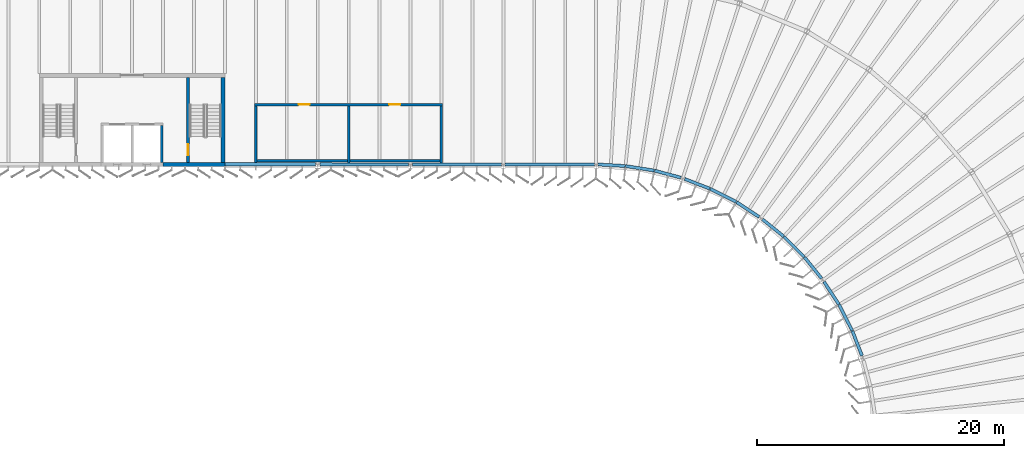
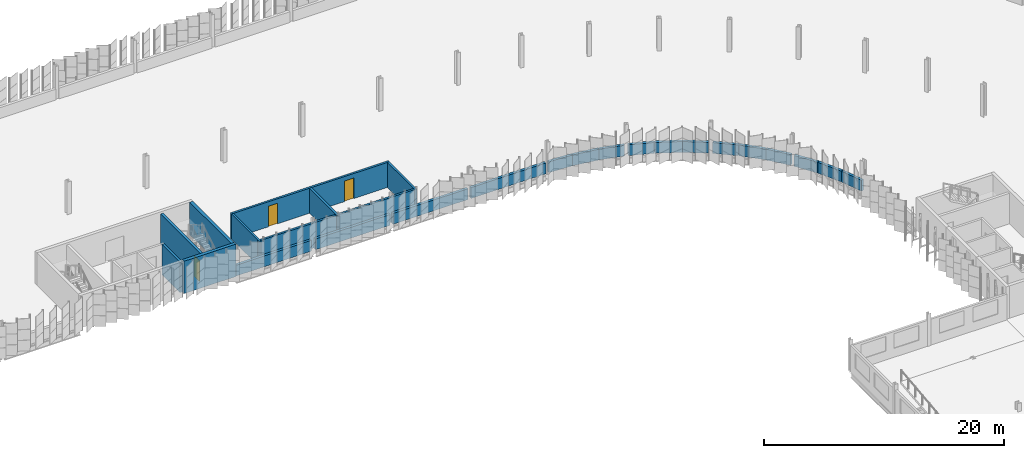
# One storey, part 77 of 214: 25 walls, 3 doors, 3 openings.
"""IFC4 building model written with IfcOpenShell, lengths in metres."""

from ifc_helpers import new_model, si_unit, direction, frame, frame_2d, origin, place, context, subcontext, project, spatial, rectangle, extrude, material, layer, layer_set, type_object, element, fill, save


model = new_model("IFC4")

# Units and contexts
model_context = context("Model", 3, precision=1e-05, world=origin(), true_north=direction((0.0, 1.0)))
body_context = subcontext(model_context, "Body", "Model", "MODEL_VIEW")
ifc_project = project(units=[si_unit("LENGTHUNIT", "METRE"), si_unit("AREAUNIT", "SQUARE_METRE"), si_unit("VOLUMEUNIT", "CUBIC_METRE"), si_unit("PLANEANGLEUNIT", "RADIAN"), si_unit("MASSUNIT", "GRAM", prefix="KILO")], contexts=[model_context])

# Site, building, storey
site_placement = place(None, origin())
site = spatial("IfcSite", under=ifc_project, at=site_placement, CompositionType="ELEMENT")
building_placement = place(site_placement, origin())
building = spatial("IfcBuilding", under=site, at=building_placement, Name="Parallax Yard Mobility Hub", CompositionType="ELEMENT")
storey_placement = place(building_placement, frame((0.0, 0.0, 3.300048828125)))
storey = spatial("IfcBuildingStorey", under=building, at=storey_placement, Name="L01", CompositionType="ELEMENT", Elevation=3.300048828125)

# Walls
ifc_material_1 = material(Name="Concrete fc' 35 MPa", Category="concrete")
ifc_layer_1 = layer(ifc_material_1, 0.300048828125)
ifc_layer_set_1 = layer_set([ifc_layer_1], Name="Concrete fc' 35 MPa core wall 300")
wall_type_1 = type_object("IfcWallType", Name="Concrete fc' 35 MPa core wall 300", PredefinedType="SHEAR", material=ifc_layer_set_1)
wall_1_placement = place(storey_placement, frame((142.5, 112.64990234375, 0.0), z_axis=(0.0, 0.0, 1.0), x_axis=(-1.0, 0.0, 0.0)))
element("IfcWall", 1, at=wall_1_placement, inside=storey, type_object=wall_type_1, Name="Core C-N2 back wall part 1 level L01", PredefinedType="SHEAR", context=body_context, shape_type="SweptSolid", body=[
    extrude(rectangle(XDim=5.0, YDim=0.300048828125, at=frame_2d((2.5, 0.0))), origin(), (0.0, 0.0, 1.0), 3.300048828125),
])
wall_2_placement = place(storey_placement, frame((142.35009765625, 119.699951171875, 0.0), z_axis=(0.0, 0.0, 1.0), x_axis=(0.0, -1.0, 0.0)))
element("IfcWall", 2, at=wall_2_placement, inside=storey, type_object=wall_type_1, Name="Core C-N2 west-side end wall level L01", PredefinedType="SHEAR", context=body_context, shape_type="SweptSolid", body=[
    extrude(rectangle(XDim=6.89990234375, YDim=0.300048828125, at=frame_2d((3.449951171875, 0.0))), origin(), (0.0, 0.0, 1.0), 3.300048828125),
])
ifc_layer_2 = layer(ifc_material_1, 0.199951171875)
ifc_layer_set_2 = layer_set([ifc_layer_2], Name="Concrete fc' 35 MPa internal core wall 200")
wall_type_2 = type_object("IfcWallType", Name="Concrete fc' 35 MPa internal core wall 200", PredefinedType="STANDARD", material=ifc_layer_set_2)
wall_3_placement = place(storey_placement, frame((137.39990234375, 115.800048828125, 0.0), z_axis=(0.0, 0.0, 1.0), x_axis=(0.0, -1.0, 0.0)))
element("IfcWall", 3, at=wall_3_placement, inside=storey, type_object=wall_type_2, Name="Core C-N2 lift wall 1 part 1 level L01", PredefinedType="STANDARD", context=body_context, shape_type="SweptSolid", body=[
    extrude(rectangle(XDim=3.0, YDim=0.199951171875, at=frame_2d((1.5, 0.0))), origin(), (0.0, 0.0, 1.0), 3.099853515625),
])

# Wall, opening, door
ifc_layer_3 = layer(ifc_material_1, 0.25)
ifc_layer_set_3 = layer_set([ifc_layer_3], Name="Concrete fc' 35 MPa stair enclosure wall 250")
wall_type_3 = type_object("IfcWallType", Name="Concrete fc' 35 MPa stair enclosure wall 250", PredefinedType="STANDARD", material=ifc_layer_set_3)
wall_4_placement = place(storey_placement, frame((139.52490234375, 119.699951171875, 0.0), z_axis=(0.0, 0.0, 1.0), x_axis=(0.0, -1.0, 0.0)))
wall_4 = element("IfcWall", 4, at=wall_4_placement, inside=storey, type_object=wall_type_3, Name="Core C-N2 stair 1 partition level L01", PredefinedType="STANDARD", context=body_context, shape_type="SweptSolid", body=[
    extrude(rectangle(XDim=6.89990234375, YDim=0.25, at=frame_2d((3.449951171875, 0.0))), origin(), (0.0, 0.0, 1.0), 3.099853515625),
])
opening_1_placement = place(wall_4_placement, frame((5.39990234375, 0.0, 0.0)))
opening_1 = element("IfcOpeningElement", 5, at=opening_1_placement, cuts=wall_4, Name="Opening L01-D715", PredefinedType="OPENING", context=body_context, shape_type="SweptSolid", body=[
    extrude(rectangle(XDim=0.89990234375, YDim=2.10009765625, at=frame_2d((0.449951171875, 1.050048828125))), frame((0.0, 0.135009765625, 0.0), z_axis=(0.0, -1.0, 0.0), x_axis=(1.0, 0.0, 0.0)), (0.0, 0.0, 1.0), 0.27001953125),
])
ifc_material_2 = material(Name="Hollow metal steel door and frame", Category="steel")
door_type_1 = type_object("IfcDoorType", Name="Core door 900 x 2100 FD90", OperationType="NOTDEFINED", PredefinedType="DOOR", material=ifc_material_2)
door_1_placement = place(opening_1_placement, origin())
door_1 = element("IfcDoor", 6, at=door_1_placement, inside=storey, type_object=door_type_1, Name="Stair lobby door L01-D715, core C-N2 level L01", OperationType="SINGLE_SWING_LEFT", OverallHeight=2.10009765625, OverallWidth=0.89990234375, PredefinedType="DOOR", context=body_context, shape_type="SweptSolid", body=[
    extrude(rectangle(XDim=0.89990234375, YDim=2.10009765625, at=frame_2d((0.449951171875, 1.050048828125))), frame((0.0, 0.02490234375, 0.0), z_axis=(0.0, -1.0, 0.0), x_axis=(1.0, 0.0, 0.0)), (0.0, 0.0, 1.0), 0.050048828125),
])
fill(opening_1, door_1)

# Walls
ifc_layer_4 = layer(ifc_material_1, 0.25)
ifc_layer_set_4 = layer_set([ifc_layer_4], Name="Deck-edge barrier wall, Concrete fc' 35 MPa precast, 250")
wall_type_4 = type_object("IfcWallType", Name="Deck-edge barrier wall, Concrete fc' 35 MPa precast, 250", PredefinedType="SOLIDWALL", material=ifc_layer_set_4)
wall_5_placement = place(storey_placement, frame((142.5048828125, 112.67333984375, 0.0), z_axis=(0.0, 0.0, 1.0), x_axis=(1.0, 0.0, 0.0)))
element("IfcWall", 7, at=wall_5_placement, inside=storey, type_object=wall_type_4, Name="Deck-edge barrier wall bay 14 level L01", PredefinedType="SOLIDWALL", context=body_context, shape_type="SweptSolid", body=[
    extrude(rectangle(XDim=7.3095703125, YDim=0.25, at=frame_2d((3.65478515625, 0.0))), origin(), (0.0, 0.0, 1.0), 1.099853515625),
])
wall_6_placement = place(storey_placement, frame((150.185546875, 112.67333984375, 0.0), z_axis=(0.0, 0.0, 1.0), x_axis=(0.999993473402, -0.003612914829, 0.0)))
element("IfcWall", 8, at=wall_6_placement, inside=storey, type_object=wall_type_4, Name="Deck-edge barrier wall bay 15 level L01", PredefinedType="SOLIDWALL", context=body_context, shape_type="SweptSolid", body=[
    extrude(rectangle(XDim=7.162841796875, YDim=0.25, at=frame_2d((3.58154296875, 0.0))), origin(), (0.0, 0.0, 1.0), 1.099853515625),
])
for number, where, z_axis, x_axis, name in (
    (9, (157.651611328125, 112.6474609375, 0.0), (0.0, 0.0, 1.0), (1.0, 0.0, 0.0), "Deck-edge barrier wall bay 16 level L01"),
    (10, (165.151611328125, 112.6474609375, 0.0), (0.0, 0.0, 1.0), (1.0, 0.0, 0.0), "Deck-edge barrier wall bay 17 level L01"),
):
    element("IfcWall", number, at=place(storey_placement, frame(where, z_axis=z_axis, x_axis=x_axis)), inside=storey, type_object=wall_type_4, Name=name, PredefinedType="SOLIDWALL", context=body_context, shape_type="SweptSolid", body=[
        extrude(rectangle(XDim=7.19677734375, YDim=0.25, at=frame_2d((3.598388671875, 0.0))), origin(), (0.0, 0.0, 1.0), 1.099853515625),
    ])
wall_7_placement = place(storey_placement, frame((172.656005859375, 112.65478515625, 0.0), z_axis=(0.0, 0.0, 1.0), x_axis=(0.998364643885, -0.057166754681, 0.0)))
element("IfcWall", 11, at=wall_7_placement, inside=storey, type_object=wall_type_4, Name="Deck-edge barrier wall bay 18-1 level L01", PredefinedType="SOLIDWALL", context=body_context, shape_type="SweptSolid", body=[
    extrude(rectangle(XDim=2.199462890625, YDim=0.25, at=frame_2d((1.099609375, 0.0))), origin(), (0.0, 0.0, 1.0), 1.099853515625),
])
wall_8_placement = place(storey_placement, frame((174.884033203125, 112.525390625, 0.0), z_axis=(0.0, 0.0, 1.0), x_axis=(0.987958694972, -0.154717862668, 0.0)))
element("IfcWall", 12, at=wall_8_placement, inside=storey, type_object=wall_type_4, Name="Deck-edge barrier wall bay 18-2 level L01", PredefinedType="SOLIDWALL", context=body_context, shape_type="SweptSolid", body=[
    extrude(rectangle(XDim=2.3369140625, YDim=0.25, at=frame_2d((1.16845703125, 0.0))), origin(), (0.0, 0.0, 1.0), 1.099853515625),
])
wall_9_placement = place(storey_placement, frame((177.226806640625, 112.156494140625, 0.0), z_axis=(0.0, 0.0, 1.0), x_axis=(0.965939121467, -0.258769421723, 0.0)))
element("IfcWall", 13, at=wall_9_placement, inside=storey, type_object=wall_type_4, Name="Deck-edge barrier wall bay 18-3 level L01", PredefinedType="SOLIDWALL", context=body_context, shape_type="SweptSolid", body=[
    extrude(rectangle(XDim=2.1962890625, YDim=0.25, at=frame_2d((1.09814453125, 0.0))), origin(), (0.0, 0.0, 1.0), 1.099853515625),
])
wall_10_placement = place(storey_placement, frame((179.652587890625, 111.483642578125, 0.0), z_axis=(0.0, 0.0, 1.0), x_axis=(0.932994708304, -0.359890086383, 0.0)))
element("IfcWall", 14, at=wall_10_placement, inside=storey, type_object=wall_type_4, Name="Deck-edge barrier wall bay 19-1 level L01", PredefinedType="SOLIDWALL", context=body_context, shape_type="SweptSolid", body=[
    extrude(rectangle(XDim=2.1904296875, YDim=0.25, at=frame_2d((1.09521484375, 0.0))), origin(), (0.0, 0.0, 1.0), 1.099853515625),
])
wall_11_placement = place(storey_placement, frame((181.725341796875, 110.682373046875, 0.0), z_axis=(0.0, 0.0, 1.0), x_axis=(0.89321234847, -0.449635074856, 0.0)))
element("IfcWall", 15, at=wall_11_placement, inside=storey, type_object=wall_type_4, Name="Deck-edge barrier wall bay 19-2 level L01", PredefinedType="SOLIDWALL", context=body_context, shape_type="SweptSolid", body=[
    extrude(rectangle(XDim=2.33740234375, YDim=0.25, at=frame_2d((1.168701171875, 0.0))), origin(), (0.0, 0.0, 1.0), 1.099853515625),
])
wall_12_placement = place(storey_placement, frame((183.844970703125, 109.61328125, 0.0), z_axis=(0.0, 0.0, 1.0), x_axis=(0.835950579423, -0.548804727351, 0.0)))
element("IfcWall", 16, at=wall_12_placement, inside=storey, type_object=wall_type_4, Name="Deck-edge barrier wall bay 19-3 level L01", PredefinedType="SOLIDWALL", context=body_context, shape_type="SweptSolid", body=[
    extrude(rectangle(XDim=2.193603515625, YDim=0.25, at=frame_2d((1.0966796875, 0.0))), origin(), (0.0, 0.0, 1.0), 1.099853515625),
])
wall_13_placement = place(storey_placement, frame((185.9404296875, 108.224365234375, 0.0), z_axis=(0.0, 0.0, 1.0), x_axis=(0.778221659803, -0.627989687983, 0.0)))
element("IfcWall", 17, at=wall_13_placement, inside=storey, type_object=wall_type_4, Name="Deck-edge barrier wall bay 20-1 level L01", PredefinedType="SOLIDWALL", context=body_context, shape_type="SweptSolid", body=[
    extrude(rectangle(XDim=2.192138671875, YDim=0.25, at=frame_2d((1.09619140625, 0.0))), origin(), (0.0, 0.0, 1.0), 1.099853515625),
])
wall_14_placement = place(storey_placement, frame((187.672119140625, 106.824462890625, 0.0), z_axis=(0.0, 0.0, 1.0), x_axis=(0.707106781187, -0.707106781187, 0.0)))
element("IfcWall", 18, at=wall_14_placement, inside=storey, type_object=wall_type_4, Name="Deck-edge barrier wall bay 20-2 level L01", PredefinedType="SOLIDWALL", context=body_context, shape_type="SweptSolid", body=[
    extrude(rectangle(XDim=2.337158203125, YDim=0.25, at=frame_2d((1.16845703125, 0.0))), origin(), (0.0, 0.0, 1.0), 1.099853515625),
])
wall_15_placement = place(storey_placement, frame((189.347900390625, 105.14599609375, 0.0), z_axis=(0.0, 0.0, 1.0), x_axis=(0.628031102994, -0.778188237942, 0.0)))
element("IfcWall", 19, at=wall_15_placement, inside=storey, type_object=wall_type_4, Name="Deck-edge barrier wall bay 20-3 level L01", PredefinedType="SOLIDWALL", context=body_context, shape_type="SweptSolid", body=[
    extrude(rectangle(XDim=2.191650390625, YDim=0.25, at=frame_2d((1.095703125, 0.0))), origin(), (0.0, 0.0, 1.0), 1.099853515625),
])
wall_16_placement = place(storey_placement, frame((190.909423828125, 103.1787109375, 0.0), z_axis=(0.0, 0.0, 1.0), x_axis=(0.550687148816, -0.834711725166, 0.0)))
element("IfcWall", 20, at=wall_16_placement, inside=storey, type_object=wall_type_4, Name="Deck-edge barrier wall bay 21-1 level L01", PredefinedType="SOLIDWALL", context=body_context, shape_type="SweptSolid", body=[
    extrude(rectangle(XDim=2.193603515625, YDim=0.25, at=frame_2d((1.0966796875, 0.0))), origin(), (0.0, 0.0, 1.0), 1.099853515625),
])
wall_17_placement = place(storey_placement, frame((192.135986328125, 101.315673828125, 0.0), z_axis=(0.0, 0.0, 1.0), x_axis=(0.451553594267, -0.892243997741, 0.0)))
element("IfcWall", 21, at=wall_17_placement, inside=storey, type_object=wall_type_4, Name="Deck-edge barrier wall bay 21-2 level L01", PredefinedType="SOLIDWALL", context=body_context, shape_type="SweptSolid", body=[
    extrude(rectangle(XDim=2.33740234375, YDim=0.25, at=frame_2d((1.168701171875, 0.0))), origin(), (0.0, 0.0, 1.0), 1.099853515625),
])
wall_18_placement = place(storey_placement, frame((193.204833984375, 99.2001953125, 0.0), z_axis=(0.0, 0.0, 1.0), x_axis=(0.362116939309, -0.932132674176, 0.0)))
element("IfcWall", 22, at=wall_18_placement, inside=storey, type_object=wall_type_4, Name="Deck-edge barrier wall bay 21-3 level L01", PredefinedType="SOLIDWALL", context=body_context, shape_type="SweptSolid", body=[
    extrude(rectangle(XDim=2.146728515625, YDim=0.25, at=frame_2d((1.0732421875, 0.0))), origin(), (0.0, 0.0, 1.0), 1.099853515625),
])
ifc_material_3 = material(Name="Fire-rated plasterboard partition, two layers each side")
ifc_layer_5 = layer(ifc_material_3, 0.199951171875)
ifc_layer_set_5 = layer_set([ifc_layer_5], Name="Fire-rated partition 200 mm")
wall_type_5 = type_object("IfcWallType", Name="Fire-rated partition 200 mm", PredefinedType="PARTITIONING", material=ifc_layer_set_5)
wall_19_placement = place(storey_placement, frame((144.89990234375, 112.949951171875, 0.0), z_axis=(0.0, 0.0, 1.0), x_axis=(1.0, 0.0, 0.0)))
element("IfcWall", 23, at=wall_19_placement, inside=storey, type_object=wall_type_5, Name="Partition 37 level L01", PredefinedType="PARTITIONING", context=body_context, shape_type="SweptSolid", body=[
    extrude(rectangle(XDim=15.2001953125, YDim=0.199951171875, at=frame_2d((7.60009765625, 0.0))), origin(), (0.0, 0.0, 1.0), 2.5478515625),
])

# Wall, openings, doors
wall_20_placement = place(storey_placement, frame((144.89990234375, 117.5, 0.0), z_axis=(0.0, 0.0, 1.0), x_axis=(1.0, 0.0, 0.0)))
wall_20 = element("IfcWall", 24, at=wall_20_placement, inside=storey, type_object=wall_type_5, Name="Partition 40 level L01", PredefinedType="PARTITIONING", context=body_context, shape_type="SweptSolid", body=[
    extrude(rectangle(XDim=15.2001953125, YDim=0.199951171875, at=frame_2d((7.60009765625, 0.0))), origin(), (0.0, 0.0, 1.0), 2.5478515625),
])
opening_2_placement = place(wall_20_placement, frame((3.550048828125, 0.0, 0.0)))
opening_2 = element("IfcOpeningElement", 25, at=opening_2_placement, cuts=wall_20, Name="Opening L01-D229", PredefinedType="OPENING", context=body_context, shape_type="SweptSolid", body=[
    extrude(rectangle(XDim=0.89990234375, YDim=2.10009765625, at=frame_2d((0.449951171875, 1.050048828125))), frame((0.0, 0.10986328125, 0.0), z_axis=(0.0, -1.0, 0.0), x_axis=(1.0, 0.0, 0.0)), (0.0, 0.0, 1.0), 0.219970703125),
])
opening_3_placement = place(wall_20_placement, frame((10.875244140625, 0.0, 0.0)))
opening_3 = element("IfcOpeningElement", 26, at=opening_3_placement, cuts=wall_20, Name="Opening L01-D230", PredefinedType="OPENING", context=body_context, shape_type="SweptSolid", body=[
    extrude(rectangle(XDim=0.89990234375, YDim=2.10009765625, at=frame_2d((0.449951171875, 1.050048828125))), frame((0.0, 0.10986328125, 0.0), z_axis=(0.0, -1.0, 0.0), x_axis=(1.0, 0.0, 0.0)), (0.0, 0.0, 1.0), 0.219970703125),
])
ifc_material_4 = material(Name="Hollow metal fire door leaf with intumescent seals")
door_type_2 = type_object("IfcDoorType", Name="Fire door 900 mm FD60", OperationType="NOTDEFINED", PredefinedType="DOOR", material=ifc_material_4)
door_2_placement = place(opening_2_placement, origin())
door_2 = element("IfcDoor", 27, at=door_2_placement, inside=storey, type_object=door_type_2, Name="Door L01-D229 Electrical Room", OperationType="SINGLE_SWING_LEFT", OverallHeight=2.10009765625, OverallWidth=0.89990234375, PredefinedType="DOOR", context=body_context, shape_type="SweptSolid", body=[
    extrude(rectangle(XDim=0.89990234375, YDim=2.10009765625, at=frame_2d((0.449951171875, 1.050048828125))), frame((0.0, 0.02490234375, 0.0), z_axis=(0.0, -1.0, 0.0), x_axis=(1.0, 0.0, 0.0)), (0.0, 0.0, 1.0), 0.050048828125),
])
fill(opening_2, door_2)
door_3_placement = place(opening_3_placement, origin())
door_3 = element("IfcDoor", 28, at=door_3_placement, inside=storey, type_object=door_type_2, Name="Door L01-D230 Comms Room", OperationType="SINGLE_SWING_RIGHT", OverallHeight=2.10009765625, OverallWidth=0.89990234375, PredefinedType="DOOR", context=body_context, shape_type="SweptSolid", body=[
    extrude(rectangle(XDim=0.89990234375, YDim=2.10009765625, at=frame_2d((0.449951171875, 1.050048828125))), frame((0.0, 0.02490234375, 0.0), z_axis=(0.0, -1.0, 0.0), x_axis=(1.0, 0.0, 0.0)), (0.0, 0.0, 1.0), 0.050048828125),
])
fill(opening_3, door_3)

# Walls
wall_21_placement = place(storey_placement, frame((145.0, 112.79833984375, 0.0), z_axis=(0.0, 0.0, 1.0), x_axis=(0.0, 1.0, 0.0)))
element("IfcWall", 29, at=wall_21_placement, inside=storey, type_object=wall_type_5, Name="Partition 64 level L01", PredefinedType="PARTITIONING", context=body_context, shape_type="SweptSolid", body=[
    extrude(rectangle(XDim=4.6015625, YDim=0.199951171875, at=frame_2d((2.30078125, 0.0))), origin(), (0.0, 0.0, 1.0), 2.557861328125),
])
wall_22_placement = place(storey_placement, frame((152.5, 112.7900390625, 0.0), z_axis=(0.0, 0.0, 1.0), x_axis=(0.0, 1.0, 0.0)))
element("IfcWall", 30, at=wall_22_placement, inside=storey, type_object=wall_type_5, Name="Partition 65 level L01", PredefinedType="PARTITIONING", context=body_context, shape_type="SweptSolid", body=[
    extrude(rectangle(XDim=4.60986328125, YDim=0.199951171875, at=frame_2d((2.304931640625, 0.0))), origin(), (0.0, 0.0, 1.0), 2.557861328125),
])
wall_23_placement = place(storey_placement, frame((160.0, 112.7724609375, 0.0), z_axis=(0.0, 0.0, 1.0), x_axis=(0.0, 1.0, 0.0)))
element("IfcWall", 31, at=wall_23_placement, inside=storey, type_object=wall_type_5, Name="Partition 68 level L01", PredefinedType="PARTITIONING", context=body_context, shape_type="SweptSolid", body=[
    extrude(rectangle(XDim=4.62744140625, YDim=0.199951171875, at=frame_2d((2.313720703125, 0.0))), origin(), (0.0, 0.0, 1.0), 2.557861328125),
])

save(model, "model.ifc")
